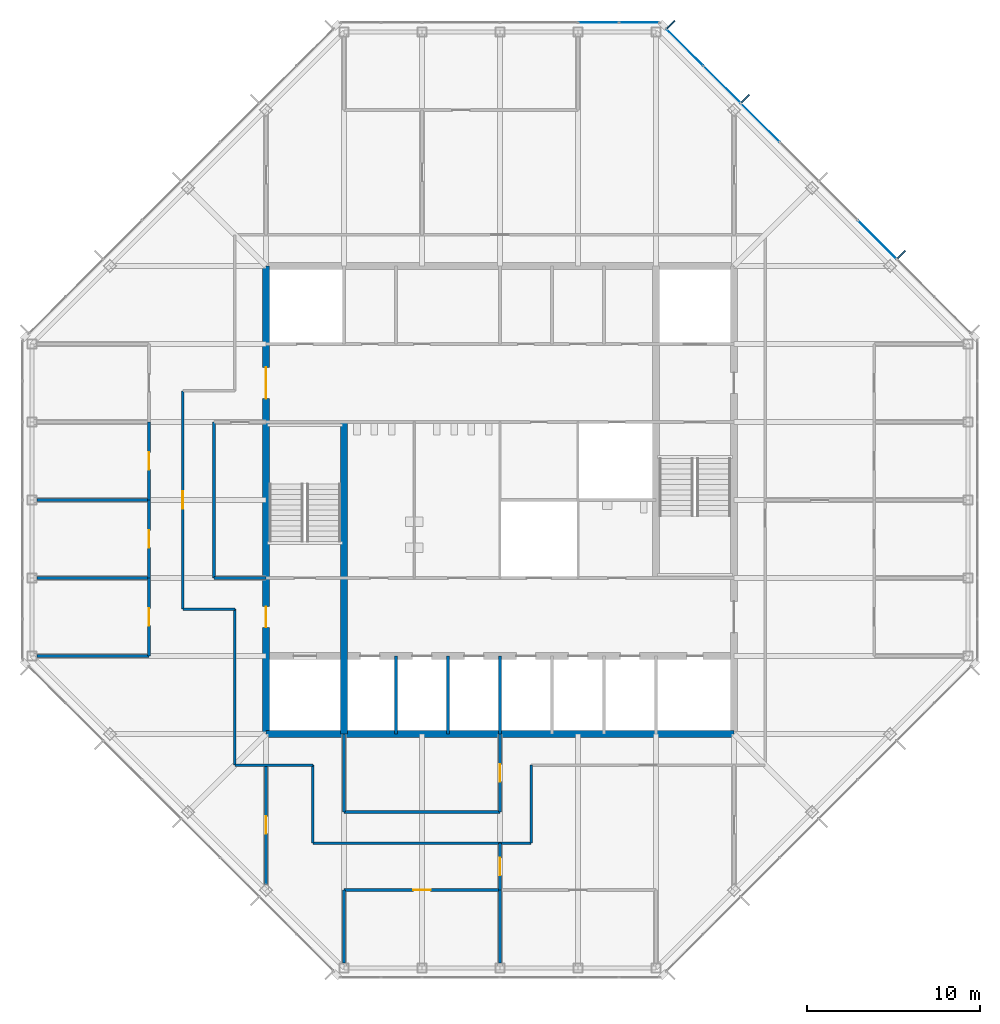
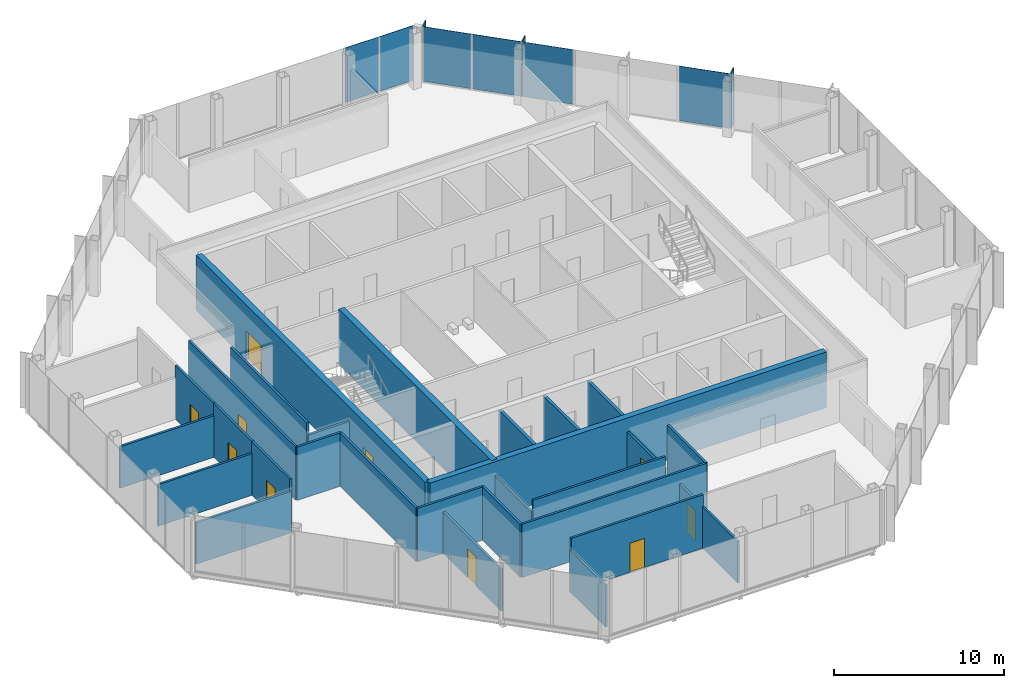
# One storey, part 9 of 14: 29 walls, 10 doors, 9 plates, 10 openings, 2 elements without a shape of their own.
"""IFC4 building model written with IfcOpenShell, lengths in metres."""

from ifc_helpers import new_model, si_unit, direction, frame, frame_2d, origin, origin_2d, place, context, subcontext, project, spatial, rectangle, extrude, material, layer, layer_set, type_object, element, fill, aggregate, save


model = new_model("IFC4")

# Units and contexts
model_context = context("Model", 3, precision=1e-05, world=origin(), true_north=direction((0.0, 1.0)))
body_context = subcontext(model_context, "Body", "Model", "MODEL_VIEW")
ifc_project = project(units=[si_unit("LENGTHUNIT", "METRE"), si_unit("AREAUNIT", "SQUARE_METRE"), si_unit("VOLUMEUNIT", "CUBIC_METRE"), si_unit("PLANEANGLEUNIT", "RADIAN"), si_unit("MASSUNIT", "GRAM", prefix="KILO")], contexts=[model_context])

# Site, building, storey
site_placement = place(None, origin())
site = spatial("IfcSite", under=ifc_project, at=site_placement, CompositionType="ELEMENT")
building_placement = place(site_placement, origin())
building = spatial("IfcBuilding", under=site, at=building_placement, Name="Corais Broadcast Tower", CompositionType="ELEMENT")
storey_placement = place(building_placement, frame((0.0, 0.0, 298.60009765625)))
storey = spatial("IfcBuildingStorey", under=building, at=storey_placement, Name="L70", CompositionType="ELEMENT", Elevation=298.60009765625)

# Curtain wall, plate
ifc_material_1 = material(Name="Aluminium and glass", Category="aluminium")
curtain_wall_type = type_object("IfcCurtainWallType", Name="Unitised fritted curtain wall CW3", PredefinedType="NOTDEFINED", material=ifc_material_1)
curtain_wall_1_placement = place(storey_placement, origin())
curtain_wall_1 = element("IfcCurtainWall", 1, at=curtain_wall_1_placement, inside=storey, type_object=curtain_wall_type, Name="CW3 curtain wall L70 4", PredefinedType="NOTDEFINED")
ifc_material_2 = material(Name="Ceramic-fritted laminated glass", Category="glass")
ifc_layer_1 = layer(ifc_material_2, 0.02587890625)
ifc_layer_set_1 = layer_set([ifc_layer_1], Name="Ceramic-fritted laminated glass")
plate_type_1 = type_object("IfcPlateType", Name="Fritted glass panel CW3", PredefinedType="CURTAIN_PANEL", material=ifc_layer_set_1)
plate_1_placement = place(storey_placement, frame((32.681884765625, 54.550048828125, 0.06494140625), z_axis=(0.0, 0.0, 1.0), x_axis=(1.0, 0.0, 0.0)))
plate_1 = element("IfcPlate", 2, at=plate_1_placement, type_object=plate_type_1, Name="CW3 panel 5", PredefinedType="CURTAIN_PANEL", context=body_context, shape_type="SweptSolid", body=[
    extrude(rectangle(XDim=2.298828125, YDim=0.02587890625, at=origin_2d()), origin(), (0.0, 0.0, 1.0), 3.93505859375),
])

# Curtain wall, plates
curtain_wall_2_placement = place(storey_placement, origin())
curtain_wall_2 = element("IfcCurtainWall", 3, at=curtain_wall_2_placement, inside=storey, type_object=curtain_wall_type, Name="CW3 curtain wall L70 5", PredefinedType="NOTDEFINED")
plate_2_placement = place(storey_placement, frame((37.669677734375, 53.108154296875, 0.06494140625), z_axis=(0.0, 0.0, 1.0), x_axis=(0.707106781187, -0.707106781187, 0.0)))
plate_2 = element("IfcPlate", 4, at=plate_2_placement, type_object=plate_type_1, Name="CW3 panel 1", PredefinedType="CURTAIN_PANEL", context=body_context, shape_type="SweptSolid", body=[
    extrude(rectangle(XDim=2.9482421875, YDim=0.02587890625, at=origin_2d()), origin(), (0.0, 0.0, 1.0), 3.93505859375),
])
plate_3_placement = place(storey_placement, frame((42.013916015625, 48.763916015625, 0.06494140625), z_axis=(0.0, 0.0, 1.0), x_axis=(0.707106781187, -0.707106781187, 0.0)))
plate_3 = element("IfcPlate", 5, at=plate_3_placement, type_object=plate_type_1, Name="CW3 panel 3", PredefinedType="CURTAIN_PANEL", context=body_context, shape_type="SweptSolid", body=[
    extrude(rectangle(XDim=3.116943359375, YDim=0.02587890625, at=origin_2d()), origin(), (0.0, 0.0, 1.0), 3.93505859375),
])

# Plate
ifc_material_3 = material(Name="Clear laminated glass", Category="glass")
ifc_layer_2 = layer(ifc_material_3, 0.030029296875)
ifc_layer_set_2 = layer_set([ifc_layer_2], Name="Clear laminated glass")
plate_type_2 = type_object("IfcPlateType", Name="Operable glass panel CW3", PredefinedType="CURTAIN_PANEL", material=ifc_layer_set_2)
plate_4_placement = place(storey_placement, frame((35.029541015625, 54.550048828125, 0.06494140625), z_axis=(0.0, 0.0, 1.0), x_axis=(1.0, 0.0, 0.0)))
plate_4 = element("IfcPlate", 6, at=plate_4_placement, type_object=plate_type_2, Name="CW3 operable panel 6", PredefinedType="CURTAIN_PANEL", context=body_context, shape_type="SweptSolid", body=[
    extrude(rectangle(XDim=2.266357421875, YDim=0.030029296875, at=origin_2d()), origin(), (0.0, 0.0, 1.0), 3.93505859375),
])

aggregate(curtain_wall_1, [plate_1, plate_4])

plate_5_placement = place(storey_placement, frame((39.81201171875, 50.9658203125, 0.06494140625), z_axis=(0.0, 0.0, 1.0), x_axis=(0.707106781187, -0.707106781187, 0.0)))
plate_5 = element("IfcPlate", 7, at=plate_5_placement, type_object=plate_type_2, Name="CW3 operable panel 2", PredefinedType="CURTAIN_PANEL", context=body_context, shape_type="SweptSolid", body=[
    extrude(rectangle(XDim=2.98095703125, YDim=0.030029296875, at=origin_2d()), origin(), (0.0, 0.0, 1.0), 3.93505859375),
])

plate_6_placement = place(storey_placement, frame((48.763916015625, 42.013916015625, 0.06494140625), z_axis=(0.0, 0.0, 1.0), x_axis=(0.707106781187, -0.707106781187, 0.0)))
plate_6 = element("IfcPlate", 8, at=plate_6_placement, type_object=plate_type_2, Name="CW3 operable panel 6", PredefinedType="CURTAIN_PANEL", context=body_context, shape_type="SweptSolid", body=[
    extrude(rectangle(XDim=3.116943359375, YDim=0.030029296875, at=origin_2d()), origin(), (0.0, 0.0, 1.0), 3.93505859375),
])

aggregate(curtain_wall_2, [plate_2, plate_5, plate_3, plate_6])

# Plates
ifc_material_4 = material(Name="Granite stone cladding", Category="masonry")
ifc_layer_3 = layer(ifc_material_4, 0.080078125)
ifc_layer_set_3 = layer_set([ifc_layer_3], Name="Granite stone cladding")
plate_type_3 = type_object("IfcPlateType", Name="Stone screen fin 80x600", PredefinedType="USERDEFINED", material=ifc_layer_set_3)
for number, where, z_axis, x_axis, name in (
    (9, (36.870849609375, 54.43994140625, 0.0), (0.0, 0.0, 1.0), (0.707106781187, -0.707106781187, 0.0), "SF1 stone screen fin L70"),
    (10, (41.155517578125, 50.155517578125, 0.0), (0.0, 0.0, 1.0), (0.707106781187, -0.707106781187, 0.0), "SF1 stone screen fin L70"),
    (11, (50.155517578125, 41.155517578125, 0.0), (0.0, 0.0, 1.0), (0.707106781187, -0.707106781187, 0.0), "SF1 stone screen fin L70"),
):
    element("IfcPlate", number, at=place(storey_placement, frame(where, z_axis=z_axis, x_axis=x_axis)), inside=storey, type_object=plate_type_3, Name=name, ObjectType="STONE SCREEN FIN", PredefinedType="USERDEFINED", context=body_context, shape_type="SweptSolid", body=[
        extrude(rectangle(XDim=0.080078125, YDim=0.60009765625, at=origin_2d()), origin(), (0.0, 0.0, 1.0), 4.0),
    ])

# Wall
ifc_material_5 = material(Name="Concrete C50/60", Category="concrete")
ifc_layer_4 = layer(ifc_material_5, 0.39990234375)
ifc_layer_set_4 = layer_set([ifc_layer_4], Name="Concrete C50/60")
wall_type_1 = type_object("IfcWallType", Name="Core wall 400", PredefinedType="SHEAR", material=ifc_layer_set_4)
wall_1_placement = place(storey_placement, frame((13.5, 13.5, 0.0), z_axis=(0.0, 0.0, 1.0), x_axis=(1.0, 0.0, 0.0)))
element("IfcWall", 12, at=wall_1_placement, inside=storey, type_object=wall_type_1, Name="CR400 core wall S L70", PredefinedType="SHEAR", context=body_context, shape_type="SweptSolid", body=[
    extrude(rectangle(XDim=27.0, YDim=0.39990234375, at=frame_2d((13.5, 0.0))), origin(), (0.0, 0.0, 1.0), 4.0),
])

# Wall, openings, doors
wall_2_placement = place(storey_placement, frame((13.5, 40.5, 0.0), z_axis=(0.0, 0.0, 1.0), x_axis=(0.0, -1.0, 0.0)))
wall_2 = element("IfcWall", 13, at=wall_2_placement, inside=storey, type_object=wall_type_1, Name="CR400 core wall W L70", PredefinedType="SHEAR", context=body_context, shape_type="SweptSolid", body=[
    extrude(rectangle(XDim=27.0, YDim=0.39990234375, at=frame_2d((13.5, 0.0))), origin(), (0.0, 0.0, 1.0), 4.0),
])
opening_1_placement = place(wall_2_placement, frame((19.64990234375, 0.0, 0.0)))
opening_1 = element("IfcOpeningElement", 14, at=opening_1_placement, cuts=wall_2, Name="Opening FD1", PredefinedType="OPENING", context=body_context, shape_type="SweptSolid", body=[
    extrude(rectangle(XDim=1.199951171875, YDim=2.10009765625, at=frame_2d((0.60009765625, 1.050048828125))), frame((0.0, 0.2099609375, 0.0), z_axis=(0.0, -1.0, 0.0), x_axis=(1.0, 0.0, 0.0)), (0.0, 0.0, 1.0), 0.419921875),
])
opening_2_placement = place(wall_2_placement, frame((5.85009765625, 0.0, 0.0)))
opening_2 = element("IfcOpeningElement", 15, at=opening_2_placement, cuts=wall_2, Name="Opening FD2", PredefinedType="OPENING", context=body_context, shape_type="SweptSolid", body=[
    extrude(rectangle(XDim=1.800048828125, YDim=2.10009765625, at=frame_2d((0.89990234375, 1.050048828125))), frame((0.0, 0.2099609375, 0.0), z_axis=(0.0, -1.0, 0.0), x_axis=(1.0, 0.0, 0.0)), (0.0, 0.0, 1.0), 0.419921875),
])
ifc_material_6 = material(Name="Steel fire door", Category="steel")
door_type_1 = type_object("IfcDoorType", Name="Fire door 1200x2100", OperationType="SINGLE_SWING_LEFT", PredefinedType="DOOR", material=ifc_material_6)
door_1_placement = place(opening_1_placement, origin())
door_1 = element("IfcDoor", 16, at=door_1_placement, inside=storey, type_object=door_type_1, Name="FD1 fire lobby A door L70", OperationType="SINGLE_SWING_RIGHT", OverallHeight=2.10009765625, OverallWidth=1.199951171875, PredefinedType="DOOR", context=body_context, shape_type="SweptSolid", body=[
    extrude(rectangle(XDim=1.199951171875, YDim=2.10009765625, at=frame_2d((0.60009765625, 1.050048828125))), frame((0.0, 0.02490234375, 0.0), z_axis=(0.0, -1.0, 0.0), x_axis=(1.0, 0.0, 0.0)), (0.0, 0.0, 1.0), 0.050048828125),
])
fill(opening_1, door_1)
ifc_material_7 = material(Name="Steel fire door", Category="steel")
door_type_2 = type_object("IfcDoorType", Name="Fire door pair 1800x2100", OperationType="DOUBLE_DOOR_SINGLE_SWING", PredefinedType="DOOR", material=ifc_material_7)
door_2_placement = place(opening_2_placement, origin())
door_2 = element("IfcDoor", 17, at=door_2_placement, inside=storey, type_object=door_type_2, Name="FD2 lift lobby door L70", OperationType="SINGLE_SWING_LEFT", OverallHeight=2.10009765625, OverallWidth=1.800048828125, PredefinedType="DOOR", context=body_context, shape_type="SweptSolid", body=[
    extrude(rectangle(XDim=1.800048828125, YDim=2.10009765625, at=frame_2d((0.89990234375, 1.050048828125))), frame((0.0, 0.02490234375, 0.0), z_axis=(0.0, -1.0, 0.0), x_axis=(1.0, 0.0, 0.0)), (0.0, 0.0, 1.0), 0.050048828125),
])
fill(opening_2, door_2)

# Wall
wall_3_placement = place(storey_placement, frame((18.0, 13.5, 0.0), z_axis=(0.0, 0.0, 1.0), x_axis=(0.0, 1.0, 0.0)))
element("IfcWall", 18, at=wall_3_placement, inside=storey, type_object=wall_type_1, Name="CR400 core wall X18A L70", PredefinedType="SHEAR", context=body_context, shape_type="SweptSolid", body=[
    extrude(rectangle(XDim=18.0, YDim=0.39990234375, at=frame_2d((9.0, 0.0))), origin(), (0.0, 0.0, 1.0), 4.0),
])

# Wall, opening, door
ifc_material_8 = material(Name="Gypsum board on steel studs", Category="steel")
ifc_layer_5 = layer(ifc_material_8, 0.14990234375)
ifc_layer_set_5 = layer_set([ifc_layer_5], Name="Gypsum board on steel studs")
wall_type_2 = type_object("IfcWallType", Name="Partition 150", PredefinedType="PARTITIONING", material=ifc_layer_set_5)
wall_4_placement = place(storey_placement, frame((8.699951171875, 33.300048828125, 0.0), z_axis=(0.0, 0.0, 1.0), x_axis=(0.0, -1.0, 0.0)))
wall_4 = element("IfcWall", 19, at=wall_4_placement, inside=storey, type_object=wall_type_2, Name="IW3 corridor wall L70", PredefinedType="PARTITIONING", context=body_context, shape_type="SweptSolid", body=[
    extrude(rectangle(XDim=12.60009765625, YDim=0.14990234375, at=frame_2d((6.300048828125, 0.0))), origin(), (0.0, 0.0, 1.0), 3.83984375),
])
opening_3_placement = place(wall_4_placement, frame((5.800048828125, 0.0, 0.0)))
opening_3 = element("IfcOpeningElement", 20, at=opening_3_placement, cuts=wall_4, Name="Opening D1", PredefinedType="OPENING", context=body_context, shape_type="SweptSolid", body=[
    extrude(rectangle(XDim=1.0, YDim=2.10009765625, at=frame_2d((0.5, 1.050048828125))), frame((0.0, 0.0849609375, 0.0), z_axis=(0.0, -1.0, 0.0), x_axis=(1.0, 0.0, 0.0)), (0.0, 0.0, 1.0), 0.169921875),
])
ifc_material_9 = material(Name="Timber door", Category="wood")
door_type_3 = type_object("IfcDoorType", Name="Single door 1000x2100", OperationType="SINGLE_SWING_LEFT", PredefinedType="DOOR", material=ifc_material_9)
door_3_placement = place(opening_3_placement, origin())
door_3 = element("IfcDoor", 21, at=door_3_placement, inside=storey, type_object=door_type_3, Name="D1 workplace door L70", OperationType="SINGLE_SWING_LEFT", OverallHeight=2.10009765625, OverallWidth=1.0, PredefinedType="DOOR", context=body_context, shape_type="SweptSolid", body=[
    extrude(rectangle(XDim=1.0, YDim=2.10009765625, at=frame_2d((0.5, 1.050048828125))), frame((0.0, 0.02490234375, 0.0), z_axis=(0.0, -1.0, 0.0), x_axis=(1.0, 0.0, 0.0)), (0.0, 0.0, 1.0), 0.050048828125),
])
fill(opening_3, door_3)

# Walls
wall_5_placement = place(storey_placement, frame((16.199951171875, 7.199951171875, 0.0), z_axis=(0.0, 0.0, 1.0), x_axis=(1.0, 0.0, 0.0)))
element("IfcWall", 22, at=wall_5_placement, inside=storey, type_object=wall_type_2, Name="IW3 corridor wall L70", PredefinedType="PARTITIONING", context=body_context, shape_type="SweptSolid", body=[
    extrude(rectangle(XDim=12.60009765625, YDim=0.14990234375, at=frame_2d((6.300048828125, 0.0))), origin(), (0.0, 0.0, 1.0), 3.83984375),
])
wall_6_placement = place(storey_placement, frame((11.699951171875, 20.699951171875, 0.0), z_axis=(0.0, 0.0, 1.0), x_axis=(0.0, -1.0, 0.0)))
element("IfcWall", 23, at=wall_6_placement, inside=storey, type_object=wall_type_2, Name="IW3 corridor wall L70", PredefinedType="PARTITIONING", context=body_context, shape_type="SweptSolid", body=[
    extrude(rectangle(XDim=9.0, YDim=0.14990234375, at=frame_2d((4.5, 0.0))), origin(), (0.0, 0.0, 1.0), 3.83984375),
])
for number, where, z_axis, x_axis, name in (
    (24, (11.699951171875, 11.699951171875, 0.0), (0.0, 0.0, 1.0), (1.0, 0.0, 0.0), "IW3 corridor wall L70"),
    (25, (16.199951171875, 11.699951171875, 0.0), (0.0, 0.0, 1.0), (0.0, -1.0, 0.0), "IW3 corridor wall L70"),
    (26, (28.800048828125, 7.199951171875, 0.0), (0.0, 0.0, 1.0), (0.0, 1.0, 0.0), "IW3 corridor wall L70"),
):
    element("IfcWall", number, at=place(storey_placement, frame(where, z_axis=z_axis, x_axis=x_axis)), inside=storey, type_object=wall_type_2, Name=name, PredefinedType="PARTITIONING", context=body_context, shape_type="SweptSolid", body=[
        extrude(rectangle(XDim=4.5, YDim=0.14990234375, at=frame_2d((2.25, 0.0))), origin(), (0.0, 0.0, 1.0), 3.83984375),
    ])
wall_7_placement = place(storey_placement, frame((8.699951171875, 20.699951171875, 0.0), z_axis=(0.0, 0.0, 1.0), x_axis=(1.0, 0.0, 0.0)))
element("IfcWall", 27, at=wall_7_placement, inside=storey, type_object=wall_type_2, Name="IW3 corridor wall L70", PredefinedType="PARTITIONING", context=body_context, shape_type="SweptSolid", body=[
    extrude(rectangle(XDim=3.0, YDim=0.14990234375, at=frame_2d((1.5, 0.0))), origin(), (0.0, 0.0, 1.0), 3.83984375),
])
wall_8_placement = place(storey_placement, frame((10.5, 22.5, 0.0), z_axis=(0.0, 0.0, 1.0), x_axis=(1.0, 0.0, 0.0)))
element("IfcWall", 28, at=wall_8_placement, inside=storey, type_object=wall_type_2, Name="IW3 partition L70", PredefinedType="PARTITIONING", context=body_context, shape_type="SweptSolid", body=[
    extrude(rectangle(XDim=3.0, YDim=0.14990234375, at=frame_2d((1.5, 0.0))), origin(), (0.0, 0.0, 1.0), 2.989013671875),
])
for number, where, z_axis, x_axis, name in (
    (29, (10.5, 31.5, 0.0), (0.0, 0.0, 1.0), (0.0, -1.0, 0.0), "IW3 partition L70"),
    (30, (18.0, 9.0, 0.0), (0.0, 0.0, 1.0), (1.0, 0.0, 0.0), "IW3 partition L70"),
):
    element("IfcWall", number, at=place(storey_placement, frame(where, z_axis=z_axis, x_axis=x_axis)), inside=storey, type_object=wall_type_2, Name=name, PredefinedType="PARTITIONING", context=body_context, shape_type="SweptSolid", body=[
        extrude(rectangle(XDim=9.0, YDim=0.14990234375, at=frame_2d((4.5, 0.0))), origin(), (0.0, 0.0, 1.0), 3.83984375),
    ])

# Wall, opening, door
wall_9_placement = place(storey_placement, frame((27.0, 9.0, 0.0), z_axis=(0.0, 0.0, 1.0), x_axis=(0.0, 1.0, 0.0)))
wall_9 = element("IfcWall", 31, at=wall_9_placement, inside=storey, type_object=wall_type_2, Name="IW3 partition L70", PredefinedType="PARTITIONING", context=body_context, shape_type="SweptSolid", body=[
    extrude(rectangle(XDim=4.5, YDim=0.14990234375, at=frame_2d((2.25, 0.0))), origin(), (0.0, 0.0, 1.0), 2.989013671875),
])
opening_4_placement = place(wall_9_placement, frame((1.75, 0.0, 0.0)))
opening_4 = element("IfcOpeningElement", 32, at=opening_4_placement, cuts=wall_9, Name="Opening D1", PredefinedType="OPENING", context=body_context, shape_type="SweptSolid", body=[
    extrude(rectangle(XDim=1.0, YDim=2.10009765625, at=frame_2d((0.5, 1.050048828125))), frame((0.0, 0.0849609375, 0.0), z_axis=(0.0, -1.0, 0.0), x_axis=(1.0, 0.0, 0.0)), (0.0, 0.0, 1.0), 0.169921875),
])
door_4_placement = place(opening_4_placement, origin())
door_4 = element("IfcDoor", 33, at=door_4_placement, inside=storey, type_object=door_type_3, Name="D1 Office door", OperationType="SINGLE_SWING_LEFT", OverallHeight=2.10009765625, OverallWidth=1.0, PredefinedType="DOOR", context=body_context, shape_type="SweptSolid", body=[
    extrude(rectangle(XDim=1.0, YDim=2.10009765625, at=frame_2d((0.5, 1.050048828125))), frame((0.0, 0.02490234375, 0.0), z_axis=(0.0, -1.0, 0.0), x_axis=(1.0, 0.0, 0.0)), (0.0, 0.0, 1.0), 0.050048828125),
])
fill(opening_4, door_4)

# Walls
wall_10_placement = place(storey_placement, frame((18.0, 13.5, 0.0), z_axis=(0.0, 0.0, 1.0), x_axis=(0.0, -1.0, 0.0)))
element("IfcWall", 34, at=wall_10_placement, inside=storey, type_object=wall_type_2, Name="IW3 partition L70", PredefinedType="PARTITIONING", context=body_context, shape_type="SweptSolid", body=[
    extrude(rectangle(XDim=4.5, YDim=0.14990234375, at=frame_2d((2.25, 0.0))), origin(), (0.0, 0.0, 1.0), 2.989013671875),
])
wall_11_placement = place(storey_placement, frame((0.284912109375, 18.0, 0.0), z_axis=(0.0, 0.0, 1.0), x_axis=(1.0, 0.0, 0.0)))
element("IfcWall", 35, at=wall_11_placement, inside=storey, type_object=wall_type_2, Name="IW3 partition L70", PredefinedType="PARTITIONING", context=body_context, shape_type="SweptSolid", body=[
    extrude(rectangle(XDim=6.465087890625, YDim=0.14990234375, at=frame_2d((3.232421875, 0.0))), origin(), (0.0, 0.0, 1.0), 2.989013671875),
])

# Wall, opening, door
wall_12_placement = place(storey_placement, frame((6.75, 18.0, 0.0), z_axis=(0.0, 0.0, 1.0), x_axis=(0.0, 1.0, 0.0)))
wall_12 = element("IfcWall", 36, at=wall_12_placement, inside=storey, type_object=wall_type_2, Name="IW3 partition L70", PredefinedType="PARTITIONING", context=body_context, shape_type="SweptSolid", body=[
    extrude(rectangle(XDim=4.5, YDim=0.14990234375, at=frame_2d((2.25, 0.0))), origin(), (0.0, 0.0, 1.0), 3.83984375),
])
opening_5_placement = place(wall_12_placement, frame((1.75, 0.0, 0.0)))
opening_5 = element("IfcOpeningElement", 37, at=opening_5_placement, cuts=wall_12, Name="Opening D1", PredefinedType="OPENING", context=body_context, shape_type="SweptSolid", body=[
    extrude(rectangle(XDim=1.0, YDim=2.10009765625, at=frame_2d((0.5, 1.050048828125))), frame((0.0, 0.0849609375, 0.0), z_axis=(0.0, -1.0, 0.0), x_axis=(1.0, 0.0, 0.0)), (0.0, 0.0, 1.0), 0.169921875),
])
door_5_placement = place(opening_5_placement, origin())
door_5 = element("IfcDoor", 38, at=door_5_placement, inside=storey, type_object=door_type_3, Name="D1 Executive lounge door", OperationType="SINGLE_SWING_LEFT", OverallHeight=2.10009765625, OverallWidth=1.0, PredefinedType="DOOR", context=body_context, shape_type="SweptSolid", body=[
    extrude(rectangle(XDim=1.0, YDim=2.10009765625, at=frame_2d((0.5, 1.050048828125))), frame((0.0, 0.02490234375, 0.0), z_axis=(0.0, -1.0, 0.0), x_axis=(1.0, 0.0, 0.0)), (0.0, 0.0, 1.0), 0.050048828125),
])
fill(opening_5, door_5)

# Wall
wall_13_placement = place(storey_placement, frame((6.75, 22.5, 0.0), z_axis=(0.0, 0.0, 1.0), x_axis=(-1.0, 0.0, 0.0)))
element("IfcWall", 39, at=wall_13_placement, inside=storey, type_object=wall_type_2, Name="IW3 partition L70", PredefinedType="PARTITIONING", context=body_context, shape_type="SweptSolid", body=[
    extrude(rectangle(XDim=6.465087890625, YDim=0.14990234375, at=frame_2d((3.232421875, 0.0))), origin(), (0.0, 0.0, 1.0), 2.989013671875),
])

# Wall, opening, door
wall_14_placement = place(storey_placement, frame((6.75, 22.5, 0.0), z_axis=(0.0, 0.0, 1.0), x_axis=(0.0, 1.0, 0.0)))
wall_14 = element("IfcWall", 40, at=wall_14_placement, inside=storey, type_object=wall_type_2, Name="IW3 partition L70", PredefinedType="PARTITIONING", context=body_context, shape_type="SweptSolid", body=[
    extrude(rectangle(XDim=4.5, YDim=0.14990234375, at=frame_2d((2.25, 0.0))), origin(), (0.0, 0.0, 1.0), 3.83984375),
])
opening_6_placement = place(wall_14_placement, frame((1.75, 0.0, 0.0)))
opening_6 = element("IfcOpeningElement", 41, at=opening_6_placement, cuts=wall_14, Name="Opening D1", PredefinedType="OPENING", context=body_context, shape_type="SweptSolid", body=[
    extrude(rectangle(XDim=1.0, YDim=2.10009765625, at=frame_2d((0.5, 1.050048828125))), frame((0.0, 0.0849609375, 0.0), z_axis=(0.0, -1.0, 0.0), x_axis=(1.0, 0.0, 0.0)), (0.0, 0.0, 1.0), 0.169921875),
])
door_6_placement = place(opening_6_placement, origin())
door_6 = element("IfcDoor", 42, at=door_6_placement, inside=storey, type_object=door_type_3, Name="D1 Executive lounge door", OperationType="SINGLE_SWING_LEFT", OverallHeight=2.10009765625, OverallWidth=1.0, PredefinedType="DOOR", context=body_context, shape_type="SweptSolid", body=[
    extrude(rectangle(XDim=1.0, YDim=2.10009765625, at=frame_2d((0.5, 1.050048828125))), frame((0.0, 0.02490234375, 0.0), z_axis=(0.0, -1.0, 0.0), x_axis=(1.0, 0.0, 0.0)), (0.0, 0.0, 1.0), 0.050048828125),
])
fill(opening_6, door_6)

# Wall
wall_15_placement = place(storey_placement, frame((6.75, 27.0, 0.0), z_axis=(0.0, 0.0, 1.0), x_axis=(-1.0, 0.0, 0.0)))
element("IfcWall", 43, at=wall_15_placement, inside=storey, type_object=wall_type_2, Name="IW3 partition L70", PredefinedType="PARTITIONING", context=body_context, shape_type="SweptSolid", body=[
    extrude(rectangle(XDim=6.465087890625, YDim=0.14990234375, at=frame_2d((3.232421875, 0.0))), origin(), (0.0, 0.0, 1.0), 2.989013671875),
])

# Wall, opening, door
wall_16_placement = place(storey_placement, frame((6.75, 27.0, 0.0), z_axis=(0.0, 0.0, 1.0), x_axis=(0.0, 1.0, 0.0)))
wall_16 = element("IfcWall", 44, at=wall_16_placement, inside=storey, type_object=wall_type_2, Name="IW3 partition L70", PredefinedType="PARTITIONING", context=body_context, shape_type="SweptSolid", body=[
    extrude(rectangle(XDim=4.5, YDim=0.14990234375, at=frame_2d((2.25, 0.0))), origin(), (0.0, 0.0, 1.0), 3.83984375),
])
opening_7_placement = place(wall_16_placement, frame((1.75, 0.0, 0.0)))
opening_7 = element("IfcOpeningElement", 45, at=opening_7_placement, cuts=wall_16, Name="Opening D1", PredefinedType="OPENING", context=body_context, shape_type="SweptSolid", body=[
    extrude(rectangle(XDim=1.0, YDim=2.10009765625, at=frame_2d((0.5, 1.050048828125))), frame((0.0, 0.0849609375, 0.0), z_axis=(0.0, -1.0, 0.0), x_axis=(1.0, 0.0, 0.0)), (0.0, 0.0, 1.0), 0.169921875),
])
door_7_placement = place(opening_7_placement, origin())
door_7 = element("IfcDoor", 46, at=door_7_placement, inside=storey, type_object=door_type_3, Name="D1 Executive lounge door", OperationType="SINGLE_SWING_LEFT", OverallHeight=2.10009765625, OverallWidth=1.0, PredefinedType="DOOR", context=body_context, shape_type="SweptSolid", body=[
    extrude(rectangle(XDim=1.0, YDim=2.10009765625, at=frame_2d((0.5, 1.050048828125))), frame((0.0, 0.02490234375, 0.0), z_axis=(0.0, -1.0, 0.0), x_axis=(1.0, 0.0, 0.0)), (0.0, 0.0, 1.0), 0.050048828125),
])
fill(opening_7, door_7)

# Wall
wall_17_placement = place(storey_placement, frame((27.0, 0.284912109375, 0.0), z_axis=(0.0, 0.0, 1.0), x_axis=(0.0, 1.0, 0.0)))
element("IfcWall", 47, at=wall_17_placement, inside=storey, type_object=wall_type_2, Name="IW3 partition L70", PredefinedType="PARTITIONING", context=body_context, shape_type="SweptSolid", body=[
    extrude(rectangle(XDim=4.215087890625, YDim=0.14990234375, at=frame_2d((2.107421875, 0.0))), origin(), (0.0, 0.0, 1.0), 2.989013671875),
])

# Wall, opening, door
wall_18_placement = place(storey_placement, frame((27.0, 4.5, 0.0), z_axis=(0.0, 0.0, 1.0), x_axis=(-1.0, 0.0, 0.0)))
wall_18 = element("IfcWall", 48, at=wall_18_placement, inside=storey, type_object=wall_type_2, Name="IW3 partition L70", PredefinedType="PARTITIONING", context=body_context, shape_type="SweptSolid", body=[
    extrude(rectangle(XDim=9.0, YDim=0.14990234375, at=frame_2d((4.5, 0.0))), origin(), (0.0, 0.0, 1.0), 3.83984375),
])
opening_8_placement = place(wall_18_placement, frame((4.0, 0.0, 0.0)))
opening_8 = element("IfcOpeningElement", 49, at=opening_8_placement, cuts=wall_18, Name="Opening D1", PredefinedType="OPENING", context=body_context, shape_type="SweptSolid", body=[
    extrude(rectangle(XDim=1.0, YDim=2.10009765625, at=frame_2d((0.5, 1.050048828125))), frame((0.0, 0.0849609375, 0.0), z_axis=(0.0, -1.0, 0.0), x_axis=(1.0, 0.0, 0.0)), (0.0, 0.0, 1.0), 0.169921875),
])
door_8_placement = place(opening_8_placement, origin())
door_8 = element("IfcDoor", 50, at=door_8_placement, inside=storey, type_object=door_type_3, Name="D1 Assistant office door", OperationType="SINGLE_SWING_LEFT", OverallHeight=2.10009765625, OverallWidth=1.0, PredefinedType="DOOR", context=body_context, shape_type="SweptSolid", body=[
    extrude(rectangle(XDim=1.0, YDim=2.10009765625, at=frame_2d((0.5, 1.050048828125))), frame((0.0, 0.02490234375, 0.0), z_axis=(0.0, -1.0, 0.0), x_axis=(1.0, 0.0, 0.0)), (0.0, 0.0, 1.0), 0.050048828125),
])
fill(opening_8, door_8)

# Wall
wall_19_placement = place(storey_placement, frame((18.0, 4.5, 0.0), z_axis=(0.0, 0.0, 1.0), x_axis=(0.0, -1.0, 0.0)))
element("IfcWall", 51, at=wall_19_placement, inside=storey, type_object=wall_type_2, Name="IW3 partition L70", PredefinedType="PARTITIONING", context=body_context, shape_type="SweptSolid", body=[
    extrude(rectangle(XDim=4.215087890625, YDim=0.14990234375, at=frame_2d((2.107421875, 0.0))), origin(), (0.0, 0.0, 1.0), 2.989013671875),
])

# Wall, opening, door
wall_20_placement = place(storey_placement, frame((27.0, 4.5, 0.0), z_axis=(0.0, 0.0, 1.0), x_axis=(0.0, 1.0, 0.0)))
wall_20 = element("IfcWall", 52, at=wall_20_placement, inside=storey, type_object=wall_type_2, Name="IW3 partition L70", PredefinedType="PARTITIONING", context=body_context, shape_type="SweptSolid", body=[
    extrude(rectangle(XDim=2.699951171875, YDim=0.14990234375, at=frame_2d((1.35009765625, 0.0))), origin(), (0.0, 0.0, 1.0), 2.989013671875),
])
opening_9_placement = place(wall_20_placement, frame((0.85009765625, 0.0, 0.0)))
opening_9 = element("IfcOpeningElement", 53, at=opening_9_placement, cuts=wall_20, Name="Opening D1", PredefinedType="OPENING", context=body_context, shape_type="SweptSolid", body=[
    extrude(rectangle(XDim=1.0, YDim=2.10009765625, at=frame_2d((0.5, 1.050048828125))), frame((0.0, 0.0849609375, 0.0), z_axis=(0.0, -1.0, 0.0), x_axis=(1.0, 0.0, 0.0)), (0.0, 0.0, 1.0), 0.169921875),
])
door_9_placement = place(opening_9_placement, origin())
door_9 = element("IfcDoor", 54, at=door_9_placement, inside=storey, type_object=door_type_3, Name="D1 team room door L70", OperationType="SINGLE_SWING_LEFT", OverallHeight=2.10009765625, OverallWidth=1.0, PredefinedType="DOOR", context=body_context, shape_type="SweptSolid", body=[
    extrude(rectangle(XDim=1.0, YDim=2.10009765625, at=frame_2d((0.5, 1.050048828125))), frame((0.0, 0.02490234375, 0.0), z_axis=(0.0, -1.0, 0.0), x_axis=(1.0, 0.0, 0.0)), (0.0, 0.0, 1.0), 0.050048828125),
])
fill(opening_9, door_9)

wall_21_placement = place(storey_placement, frame((13.5, 11.699951171875, 0.0), z_axis=(0.0, 0.0, 1.0), x_axis=(0.0, -1.0, 0.0)))
wall_21 = element("IfcWall", 55, at=wall_21_placement, inside=storey, type_object=wall_type_2, Name="IW3 partition L70", PredefinedType="PARTITIONING", context=body_context, shape_type="SweptSolid", body=[
    extrude(rectangle(XDim=6.905029296875, YDim=0.14990234375, at=frame_2d((3.45263671875, 0.0))), origin(), (0.0, 0.0, 1.0), 2.989013671875),
])
opening_10_placement = place(wall_21_placement, frame((2.952392578125, 0.0, 0.0)))
opening_10 = element("IfcOpeningElement", 56, at=opening_10_placement, cuts=wall_21, Name="Opening D1", PredefinedType="OPENING", context=body_context, shape_type="SweptSolid", body=[
    extrude(rectangle(XDim=1.0, YDim=2.10009765625, at=frame_2d((0.5, 1.050048828125))), frame((0.0, 0.0849609375, 0.0), z_axis=(0.0, -1.0, 0.0), x_axis=(1.0, 0.0, 0.0)), (0.0, 0.0, 1.0), 0.169921875),
])
door_10_placement = place(opening_10_placement, origin())
door_10 = element("IfcDoor", 57, at=door_10_placement, inside=storey, type_object=door_type_3, Name="D1 team room door L70", OperationType="SINGLE_SWING_LEFT", OverallHeight=2.10009765625, OverallWidth=1.0, PredefinedType="DOOR", context=body_context, shape_type="SweptSolid", body=[
    extrude(rectangle(XDim=1.0, YDim=2.10009765625, at=frame_2d((0.5, 1.050048828125))), frame((0.0, 0.02490234375, 0.0), z_axis=(0.0, -1.0, 0.0), x_axis=(1.0, 0.0, 0.0)), (0.0, 0.0, 1.0), 0.050048828125),
])
fill(opening_10, door_10)

# Walls
ifc_material_10 = material(Name="Concrete blockwork class A, grouted, two-hour", Category="masonry")
ifc_layer_6 = layer(ifc_material_10, 0.199951171875)
ifc_layer_set_6 = layer_set([ifc_layer_6], Name="Concrete blockwork class A, grouted, two-hour")
wall_type_3 = type_object("IfcWallType", Name="Shaft wall 200", PredefinedType="PARTITIONING", material=ifc_layer_set_6)
for number, where, z_axis, x_axis, name in (
    (58, (21.0, 13.5, 0.0), (0.0, 0.0, 1.0), (0.0, 1.0, 0.0), "IW1 shaft wall L70"),
    (59, (24.0, 13.5, 0.0), (0.0, 0.0, 1.0), (0.0, 1.0, 0.0), "IW1 shaft wall L70"),
    (60, (27.0, 13.5, 0.0), (0.0, 0.0, 1.0), (0.0, 1.0, 0.0), "IW1 shaft wall L70"),
):
    element("IfcWall", number, at=place(storey_placement, frame(where, z_axis=z_axis, x_axis=x_axis)), inside=storey, type_object=wall_type_3, Name=name, PredefinedType="PARTITIONING", context=body_context, shape_type="SweptSolid", body=[
        extrude(rectangle(XDim=4.5, YDim=0.199951171875, at=frame_2d((2.25, 0.0))), origin(), (0.0, 0.0, 1.0), 3.83984375),
    ])

save(model, "model.ifc")
